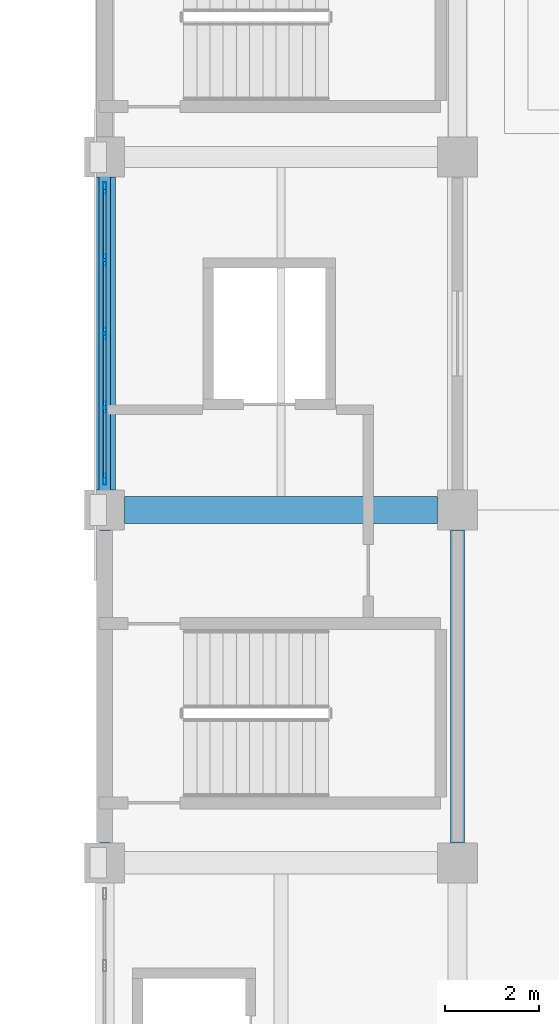
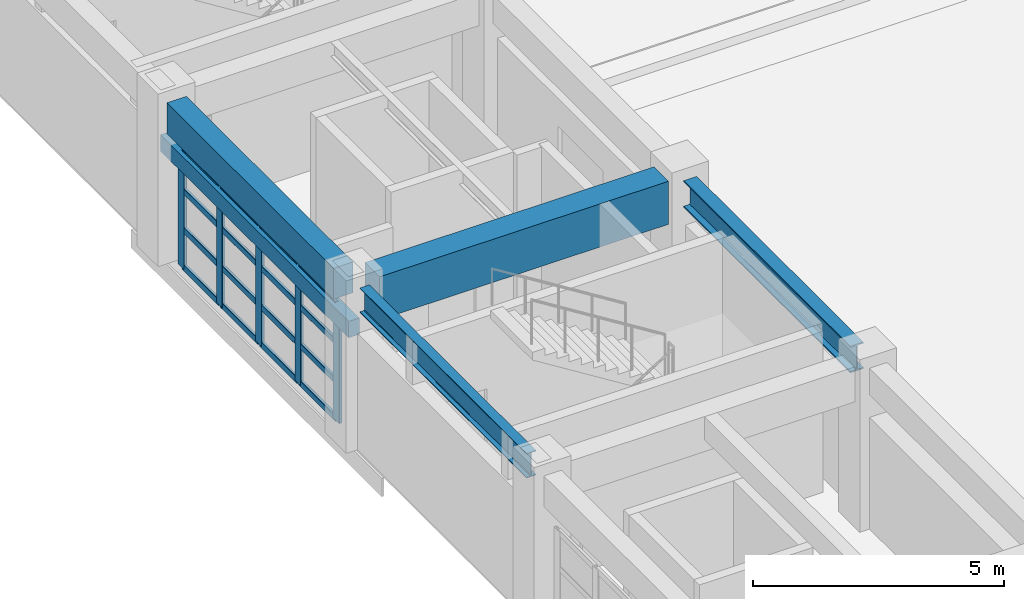
# One storey, part 28 of 132: 21 members, 5 beams, 1 element without a shape of its own.
"""IFC4 building model written with IfcOpenShell, lengths in metres."""

from ifc_helpers import new_model, si_unit, direction, frame, origin, origin_2d, place, context, subcontext, project, spatial, rectangle, hollow_rectangle, i_section, extrude, material, material_profile, profile_set, type_object, element, aggregate, save


model = new_model("IFC4")

# Units and contexts
model_context = context("Model", 3, precision=1e-05, world=origin(), true_north=direction((0.0, 1.0)))
body_context = subcontext(model_context, "Body", "Model", "MODEL_VIEW")
ifc_project = project(units=[si_unit("LENGTHUNIT", "METRE"), si_unit("AREAUNIT", "SQUARE_METRE"), si_unit("VOLUMEUNIT", "CUBIC_METRE"), si_unit("PLANEANGLEUNIT", "RADIAN"), si_unit("MASSUNIT", "GRAM", prefix="KILO")], contexts=[model_context])

# Site, building, storey
site_placement = place(None, origin())
site = spatial("IfcSite", under=ifc_project, at=site_placement, CompositionType="ELEMENT")
building_placement = place(site_placement, origin())
building = spatial("IfcBuilding", under=site, at=building_placement, Name="Qasida Concert Hall", CompositionType="ELEMENT")
storey_placement = place(building_placement, frame((0.0, 0.0, 4.800048828125)))
storey = spatial("IfcBuildingStorey", under=building, at=storey_placement, Name="L01", CompositionType="ELEMENT", Elevation=4.800048828125)

# Beams
ifc_material_1 = material(Name="Steel S355J2", Category="steel")
ifc_material_profile_1 = material_profile(ifc_material_1, i_section(OverallWidth=0.300048828125, OverallDepth=0.64990234375, WebThickness=0.01611328125, FlangeThickness=0.031005859375, FilletRadius=0.027099609375, at=origin_2d()), Name="HEB 650")
ifc_profile_set_1 = profile_set([ifc_material_profile_1], Name="Steel S355J2")
beam_type_1 = type_object("IfcBeamType", Name="BM-B13", PredefinedType="BEAM", material=ifc_profile_set_1)
beam_1_placement = place(storey_placement, frame((60.0, 45.425048828125, 3.594970703125), z_axis=(0.0, 1.0, 0.0), x_axis=(-1.0, 0.0, 0.0)))
element("IfcBeam", 1, at=beam_1_placement, inside=storey, type_object=beam_type_1, Name="L01 girder 0805", PredefinedType="BEAM", context=body_context, shape_type="SweptSolid", body=[
    extrude(i_section(OverallWidth=0.300048828125, OverallDepth=0.64990234375, WebThickness=0.01611328125, FlangeThickness=0.031005859375, FilletRadius=0.027099609375, at=origin_2d()), origin(), (0.0, 0.0, 1.0), 6.64990234375),
])
ifc_material_2 = material(Name="Concrete C50/60", Category="concrete")
ifc_material_profile_2 = material_profile(ifc_material_2, rectangle(XDim=0.580078125, YDim=1.050048828125, at=origin_2d()), Name="RC 580x1050")
ifc_profile_set_2 = profile_set([ifc_material_profile_2], Name="Concrete C50/60")
beam_type_2 = type_object("IfcBeamType", Name="BM-G8", PredefinedType="USERDEFINED", material=ifc_profile_set_2)
beam_2_placement = place(storey_placement, frame((52.925048828125, 52.5, 3.39501953125), z_axis=(1.0, 0.0, 0.0), x_axis=(0.0, 1.0, 0.0)))
element("IfcBeam", 2, at=beam_2_placement, inside=storey, type_object=beam_type_2, Name="Primary girder 0778", ObjectType="GIRDER", PredefinedType="USERDEFINED", context=body_context, shape_type="SweptSolid", body=[
    extrude(rectangle(XDim=0.580078125, YDim=1.050048828125, at=origin_2d()), origin(), (0.0, 0.0, 1.0), 6.64990234375),
])
ifc_material_3 = material(Name="Concrete C40/50", Category="concrete")
ifc_material_profile_3 = material_profile(ifc_material_3, rectangle(XDim=0.25, YDim=0.39990234375, at=origin_2d()), Name="RC 250x400")
ifc_profile_set_3 = profile_set([ifc_material_profile_3], Name="Concrete C40/50")
beam_type_3 = type_object("IfcBeamType", Name="BM-LN1", PredefinedType="LINTEL", material=ifc_profile_set_3)
beam_3_placement = place(storey_placement, frame((52.5, 52.5, 2.64990234375), z_axis=(0.0, 1.0, 0.0), x_axis=(-1.0, 0.0, 0.0)))
element("IfcBeam", 3, at=beam_3_placement, inside=storey, type_object=beam_type_3, Name="L01 portal lintel beam 006", PredefinedType="LINTEL", context=body_context, shape_type="SweptSolid", body=[
    extrude(rectangle(XDim=0.25, YDim=0.39990234375, at=origin_2d()), origin(), (0.0, 0.0, 1.0), 7.5),
])
ifc_material_profile_4 = material_profile(ifc_material_1, i_section(OverallWidth=0.219970703125, OverallDepth=0.60009765625, WebThickness=0.011962890625, FlangeThickness=0.01904296875, FilletRadius=0.02392578125, at=origin_2d()), Name="IPE 600")
ifc_profile_set_4 = profile_set([ifc_material_profile_4], Name="Steel S355J2")
beam_type_4 = type_object("IfcBeamType", Name="BM-SP3", PredefinedType="SPANDREL", material=ifc_profile_set_4)
beam_4_placement = place(storey_placement, frame((52.5, 45.425048828125, 3.619873046875), z_axis=(0.0, 1.0, 0.0), x_axis=(-1.0, 0.0, 0.0)))
element("IfcBeam", 4, at=beam_4_placement, inside=storey, type_object=beam_type_4, Name="L01 girder 0799", PredefinedType="SPANDREL", context=body_context, shape_type="SweptSolid", body=[
    extrude(i_section(OverallWidth=0.219970703125, OverallDepth=0.60009765625, WebThickness=0.011962890625, FlangeThickness=0.01904296875, FilletRadius=0.02392578125, at=origin_2d()), origin(), (0.0, 0.0, 1.0), 6.64990234375),
])
ifc_material_profile_5 = material_profile(ifc_material_3, rectangle(XDim=0.449951171875, YDim=0.75, at=origin_2d()), Name="RC 450x750")
ifc_profile_set_5 = profile_set([ifc_material_profile_5], Name="Concrete C40/50")
beam_type_5 = type_object("IfcBeamType", Name="BM-SP4", PredefinedType="SPANDREL", material=ifc_profile_set_5)
beam_5_placement = place(storey_placement, frame((52.5, 52.925048828125, 3.544921875), z_axis=(0.0, 1.0, 0.0), x_axis=(-1.0, 0.0, 0.0)))
element("IfcBeam", 5, at=beam_5_placement, inside=storey, type_object=beam_type_5, Name="L01 girder 0800", PredefinedType="SPANDREL", context=body_context, shape_type="SweptSolid", body=[
    extrude(rectangle(XDim=0.449951171875, YDim=0.75, at=origin_2d()), origin(), (0.0, 0.0, 1.0), 6.64990234375),
])

# Curtain wall, members
ifc_material_4 = material(Name="Architectural bronze-anodized aluminium and low-E glass", Category="aluminium")
curtain_wall_type = type_object("IfcCurtainWallType", Name="CW-02", PredefinedType="NOTDEFINED", material=ifc_material_4)
curtain_wall_placement = place(storey_placement, origin())
curtain_wall = element("IfcCurtainWall", 6, at=curtain_wall_placement, inside=storey, type_object=curtain_wall_type, Name="L01 curtain wall CW-02 0044", PredefinedType="NOTDEFINED")
ifc_material_5 = material(Name="Architectural bronze-anodized aluminium EN AW-6063", Category="aluminium")
ifc_material_profile_6 = material_profile(ifc_material_5, hollow_rectangle(XDim=0.070068359375, YDim=0.239990234375, WallThickness=0.0048828125, InnerFilletRadius=0.0048828125, OuterFilletRadius=0.010009765625, at=origin_2d()), Name="CWM 240x70x5")
ifc_profile_set_6 = profile_set([ifc_material_profile_6], Name="Architectural bronze-anodized aluminium EN AW-6063")
member_type_1 = type_object("IfcMemberType", Name="MB-CWM-1", PredefinedType="MULLION", material=ifc_profile_set_6)
member_1_placement = place(storey_placement, frame((52.5, 53.155029296875, 0.0), z_axis=(0.0, 0.0, 1.0), x_axis=(-1.0, 0.0, 0.0)))
member_1 = element("IfcMember", 7, at=member_1_placement, type_object=member_type_1, Name="CW-02 mullion 1", PredefinedType="MULLION", context=body_context, shape_type="SweptSolid", body=[
    extrude(hollow_rectangle(XDim=0.070068359375, YDim=0.239990234375, WallThickness=0.0048828125, InnerFilletRadius=0.0048828125, OuterFilletRadius=0.010009765625, at=origin_2d()), origin(), (0.0, 0.0, 1.0), 2.83984375),
])
member_2_placement = place(storey_placement, frame((52.5, 54.68505859375, 0.0), z_axis=(0.0, 0.0, 1.0), x_axis=(-1.0, 0.0, 0.0)))
member_2 = element("IfcMember", 8, at=member_2_placement, type_object=member_type_1, Name="CW-02 mullion 2", PredefinedType="MULLION", context=body_context, shape_type="SweptSolid", body=[
    extrude(hollow_rectangle(XDim=0.070068359375, YDim=0.239990234375, WallThickness=0.0048828125, InnerFilletRadius=0.0048828125, OuterFilletRadius=0.010009765625, at=origin_2d()), origin(), (0.0, 0.0, 1.0), 2.83984375),
])
member_3_placement = place(storey_placement, frame((52.5, 56.25, 0.0), z_axis=(0.0, 0.0, 1.0), x_axis=(-1.0, 0.0, 0.0)))
member_3 = element("IfcMember", 9, at=member_3_placement, type_object=member_type_1, Name="CW-02 mullion 3", PredefinedType="MULLION", context=body_context, shape_type="SweptSolid", body=[
    extrude(hollow_rectangle(XDim=0.070068359375, YDim=0.239990234375, WallThickness=0.0048828125, InnerFilletRadius=0.0048828125, OuterFilletRadius=0.010009765625, at=origin_2d()), origin(), (0.0, 0.0, 1.0), 2.83984375),
])
member_4_placement = place(storey_placement, frame((52.5, 57.81494140625, 0.0), z_axis=(0.0, 0.0, 1.0), x_axis=(-1.0, 0.0, 0.0)))
member_4 = element("IfcMember", 10, at=member_4_placement, type_object=member_type_1, Name="CW-02 mullion 4", PredefinedType="MULLION", context=body_context, shape_type="SweptSolid", body=[
    extrude(hollow_rectangle(XDim=0.070068359375, YDim=0.239990234375, WallThickness=0.0048828125, InnerFilletRadius=0.0048828125, OuterFilletRadius=0.010009765625, at=origin_2d()), origin(), (0.0, 0.0, 1.0), 2.83984375),
])
member_5_placement = place(storey_placement, frame((52.5, 59.344970703125, 0.0), z_axis=(0.0, 0.0, 1.0), x_axis=(-1.0, 0.0, 0.0)))
member_5 = element("IfcMember", 11, at=member_5_placement, type_object=member_type_1, Name="CW-02 mullion 5", PredefinedType="MULLION", context=body_context, shape_type="SweptSolid", body=[
    extrude(hollow_rectangle(XDim=0.070068359375, YDim=0.239990234375, WallThickness=0.0048828125, InnerFilletRadius=0.0048828125, OuterFilletRadius=0.010009765625, at=origin_2d()), origin(), (0.0, 0.0, 1.0), 2.83984375),
])
ifc_material_profile_7 = material_profile(ifc_material_5, hollow_rectangle(XDim=0.06494140625, YDim=0.14990234375, WallThickness=0.00390625, InnerFilletRadius=0.00390625, OuterFilletRadius=0.008056640625, at=origin_2d()), Name="CWT 150x65x4")
ifc_profile_set_7 = profile_set([ifc_material_profile_7], Name="Architectural bronze-anodized aluminium EN AW-6063")
member_type_2 = type_object("IfcMemberType", Name="MB-CWT-1", PredefinedType="USERDEFINED", material=ifc_profile_set_7)
member_6_placement = place(storey_placement, frame((52.5, 53.18994140625, 0.032470703125), z_axis=(0.0, 1.0, 0.0), x_axis=(-1.0, 0.0, 0.0)))
member_6 = element("IfcMember", 12, at=member_6_placement, type_object=member_type_2, Name="CW-02 transom 1.1", ObjectType="TRANSOM", PredefinedType="USERDEFINED", context=body_context, shape_type="SweptSolid", body=[
    extrude(hollow_rectangle(XDim=0.06494140625, YDim=0.14990234375, WallThickness=0.00390625, InnerFilletRadius=0.00390625, OuterFilletRadius=0.008056640625, at=origin_2d()), origin(), (0.0, 0.0, 1.0), 1.4599609375),
])
member_7_placement = place(storey_placement, frame((52.5, 53.18994140625, 0.946533203125), z_axis=(0.0, 1.0, 0.0), x_axis=(-1.0, 0.0, 0.0)))
member_7 = element("IfcMember", 13, at=member_7_placement, type_object=member_type_2, Name="CW-02 transom 1.2", ObjectType="TRANSOM", PredefinedType="USERDEFINED", context=body_context, shape_type="SweptSolid", body=[
    extrude(hollow_rectangle(XDim=0.06494140625, YDim=0.14990234375, WallThickness=0.00390625, InnerFilletRadius=0.00390625, OuterFilletRadius=0.008056640625, at=origin_2d()), origin(), (0.0, 0.0, 1.0), 1.4599609375),
])
member_8_placement = place(storey_placement, frame((52.5, 53.18994140625, 1.893310546875), z_axis=(0.0, 1.0, 0.0), x_axis=(-1.0, 0.0, 0.0)))
member_8 = element("IfcMember", 14, at=member_8_placement, type_object=member_type_2, Name="CW-02 transom 1.3", ObjectType="TRANSOM", PredefinedType="USERDEFINED", context=body_context, shape_type="SweptSolid", body=[
    extrude(hollow_rectangle(XDim=0.06494140625, YDim=0.14990234375, WallThickness=0.00390625, InnerFilletRadius=0.00390625, OuterFilletRadius=0.008056640625, at=origin_2d()), origin(), (0.0, 0.0, 1.0), 1.4599609375),
])
member_9_placement = place(storey_placement, frame((52.5, 53.18994140625, 2.807373046875), z_axis=(0.0, 1.0, 0.0), x_axis=(-1.0, 0.0, 0.0)))
member_9 = element("IfcMember", 15, at=member_9_placement, type_object=member_type_2, Name="CW-02 transom 1.4", ObjectType="TRANSOM", PredefinedType="USERDEFINED", context=body_context, shape_type="SweptSolid", body=[
    extrude(hollow_rectangle(XDim=0.06494140625, YDim=0.14990234375, WallThickness=0.00390625, InnerFilletRadius=0.00390625, OuterFilletRadius=0.008056640625, at=origin_2d()), origin(), (0.0, 0.0, 1.0), 1.4599609375),
])
member_10_placement = place(storey_placement, frame((52.5, 54.719970703125, 0.032470703125), z_axis=(0.0, 1.0, 0.0), x_axis=(-1.0, 0.0, 0.0)))
member_10 = element("IfcMember", 16, at=member_10_placement, type_object=member_type_2, Name="CW-02 transom 2.1", ObjectType="TRANSOM", PredefinedType="USERDEFINED", context=body_context, shape_type="SweptSolid", body=[
    extrude(hollow_rectangle(XDim=0.06494140625, YDim=0.14990234375, WallThickness=0.00390625, InnerFilletRadius=0.00390625, OuterFilletRadius=0.008056640625, at=origin_2d()), origin(), (0.0, 0.0, 1.0), 1.4951171875),
])
member_11_placement = place(storey_placement, frame((52.5, 54.719970703125, 0.946533203125), z_axis=(0.0, 1.0, 0.0), x_axis=(-1.0, 0.0, 0.0)))
member_11 = element("IfcMember", 17, at=member_11_placement, type_object=member_type_2, Name="CW-02 transom 2.2", ObjectType="TRANSOM", PredefinedType="USERDEFINED", context=body_context, shape_type="SweptSolid", body=[
    extrude(hollow_rectangle(XDim=0.06494140625, YDim=0.14990234375, WallThickness=0.00390625, InnerFilletRadius=0.00390625, OuterFilletRadius=0.008056640625, at=origin_2d()), origin(), (0.0, 0.0, 1.0), 1.4951171875),
])
member_12_placement = place(storey_placement, frame((52.5, 54.719970703125, 1.893310546875), z_axis=(0.0, 1.0, 0.0), x_axis=(-1.0, 0.0, 0.0)))
member_12 = element("IfcMember", 18, at=member_12_placement, type_object=member_type_2, Name="CW-02 transom 2.3", ObjectType="TRANSOM", PredefinedType="USERDEFINED", context=body_context, shape_type="SweptSolid", body=[
    extrude(hollow_rectangle(XDim=0.06494140625, YDim=0.14990234375, WallThickness=0.00390625, InnerFilletRadius=0.00390625, OuterFilletRadius=0.008056640625, at=origin_2d()), origin(), (0.0, 0.0, 1.0), 1.4951171875),
])
member_13_placement = place(storey_placement, frame((52.5, 54.719970703125, 2.807373046875), z_axis=(0.0, 1.0, 0.0), x_axis=(-1.0, 0.0, 0.0)))
member_13 = element("IfcMember", 19, at=member_13_placement, type_object=member_type_2, Name="CW-02 transom 2.4", ObjectType="TRANSOM", PredefinedType="USERDEFINED", context=body_context, shape_type="SweptSolid", body=[
    extrude(hollow_rectangle(XDim=0.06494140625, YDim=0.14990234375, WallThickness=0.00390625, InnerFilletRadius=0.00390625, OuterFilletRadius=0.008056640625, at=origin_2d()), origin(), (0.0, 0.0, 1.0), 1.4951171875),
])
member_14_placement = place(storey_placement, frame((52.5, 56.284912109375, 0.032470703125), z_axis=(0.0, 1.0, 0.0), x_axis=(-1.0, 0.0, 0.0)))
member_14 = element("IfcMember", 20, at=member_14_placement, type_object=member_type_2, Name="CW-02 transom 3.1", ObjectType="TRANSOM", PredefinedType="USERDEFINED", context=body_context, shape_type="SweptSolid", body=[
    extrude(hollow_rectangle(XDim=0.06494140625, YDim=0.14990234375, WallThickness=0.00390625, InnerFilletRadius=0.00390625, OuterFilletRadius=0.008056640625, at=origin_2d()), origin(), (0.0, 0.0, 1.0), 1.4951171875),
])
member_15_placement = place(storey_placement, frame((52.5, 56.284912109375, 0.946533203125), z_axis=(0.0, 1.0, 0.0), x_axis=(-1.0, 0.0, 0.0)))
member_15 = element("IfcMember", 21, at=member_15_placement, type_object=member_type_2, Name="CW-02 transom 3.2", ObjectType="TRANSOM", PredefinedType="USERDEFINED", context=body_context, shape_type="SweptSolid", body=[
    extrude(hollow_rectangle(XDim=0.06494140625, YDim=0.14990234375, WallThickness=0.00390625, InnerFilletRadius=0.00390625, OuterFilletRadius=0.008056640625, at=origin_2d()), origin(), (0.0, 0.0, 1.0), 1.4951171875),
])
member_16_placement = place(storey_placement, frame((52.5, 56.284912109375, 1.893310546875), z_axis=(0.0, 1.0, 0.0), x_axis=(-1.0, 0.0, 0.0)))
member_16 = element("IfcMember", 22, at=member_16_placement, type_object=member_type_2, Name="CW-02 transom 3.3", ObjectType="TRANSOM", PredefinedType="USERDEFINED", context=body_context, shape_type="SweptSolid", body=[
    extrude(hollow_rectangle(XDim=0.06494140625, YDim=0.14990234375, WallThickness=0.00390625, InnerFilletRadius=0.00390625, OuterFilletRadius=0.008056640625, at=origin_2d()), origin(), (0.0, 0.0, 1.0), 1.4951171875),
])
member_17_placement = place(storey_placement, frame((52.5, 56.284912109375, 2.807373046875), z_axis=(0.0, 1.0, 0.0), x_axis=(-1.0, 0.0, 0.0)))
member_17 = element("IfcMember", 23, at=member_17_placement, type_object=member_type_2, Name="CW-02 transom 3.4", ObjectType="TRANSOM", PredefinedType="USERDEFINED", context=body_context, shape_type="SweptSolid", body=[
    extrude(hollow_rectangle(XDim=0.06494140625, YDim=0.14990234375, WallThickness=0.00390625, InnerFilletRadius=0.00390625, OuterFilletRadius=0.008056640625, at=origin_2d()), origin(), (0.0, 0.0, 1.0), 1.4951171875),
])
member_18_placement = place(storey_placement, frame((52.5, 57.85009765625, 0.032470703125), z_axis=(0.0, 1.0, 0.0), x_axis=(-1.0, 0.0, 0.0)))
member_18 = element("IfcMember", 24, at=member_18_placement, type_object=member_type_2, Name="CW-02 transom 4.1", ObjectType="TRANSOM", PredefinedType="USERDEFINED", context=body_context, shape_type="SweptSolid", body=[
    extrude(hollow_rectangle(XDim=0.06494140625, YDim=0.14990234375, WallThickness=0.00390625, InnerFilletRadius=0.00390625, OuterFilletRadius=0.008056640625, at=origin_2d()), origin(), (0.0, 0.0, 1.0), 1.4599609375),
])
member_19_placement = place(storey_placement, frame((52.5, 57.85009765625, 0.946533203125), z_axis=(0.0, 1.0, 0.0), x_axis=(-1.0, 0.0, 0.0)))
member_19 = element("IfcMember", 25, at=member_19_placement, type_object=member_type_2, Name="CW-02 transom 4.2", ObjectType="TRANSOM", PredefinedType="USERDEFINED", context=body_context, shape_type="SweptSolid", body=[
    extrude(hollow_rectangle(XDim=0.06494140625, YDim=0.14990234375, WallThickness=0.00390625, InnerFilletRadius=0.00390625, OuterFilletRadius=0.008056640625, at=origin_2d()), origin(), (0.0, 0.0, 1.0), 1.4599609375),
])
member_20_placement = place(storey_placement, frame((52.5, 57.85009765625, 1.893310546875), z_axis=(0.0, 1.0, 0.0), x_axis=(-1.0, 0.0, 0.0)))
member_20 = element("IfcMember", 26, at=member_20_placement, type_object=member_type_2, Name="CW-02 transom 4.3", ObjectType="TRANSOM", PredefinedType="USERDEFINED", context=body_context, shape_type="SweptSolid", body=[
    extrude(hollow_rectangle(XDim=0.06494140625, YDim=0.14990234375, WallThickness=0.00390625, InnerFilletRadius=0.00390625, OuterFilletRadius=0.008056640625, at=origin_2d()), origin(), (0.0, 0.0, 1.0), 1.4599609375),
])
member_21_placement = place(storey_placement, frame((52.5, 57.85009765625, 2.807373046875), z_axis=(0.0, 1.0, 0.0), x_axis=(-1.0, 0.0, 0.0)))
member_21 = element("IfcMember", 27, at=member_21_placement, type_object=member_type_2, Name="CW-02 transom 4.4", ObjectType="TRANSOM", PredefinedType="USERDEFINED", context=body_context, shape_type="SweptSolid", body=[
    extrude(hollow_rectangle(XDim=0.06494140625, YDim=0.14990234375, WallThickness=0.00390625, InnerFilletRadius=0.00390625, OuterFilletRadius=0.008056640625, at=origin_2d()), origin(), (0.0, 0.0, 1.0), 1.4599609375),
])
aggregate(curtain_wall, [member_1, member_2, member_3, member_4, member_5, member_6, member_7, member_8, member_9, member_10, member_11, member_12, member_13, member_14, member_15, member_16, member_17, member_18, member_19, member_20, member_21])

save(model, "model.ifc")
